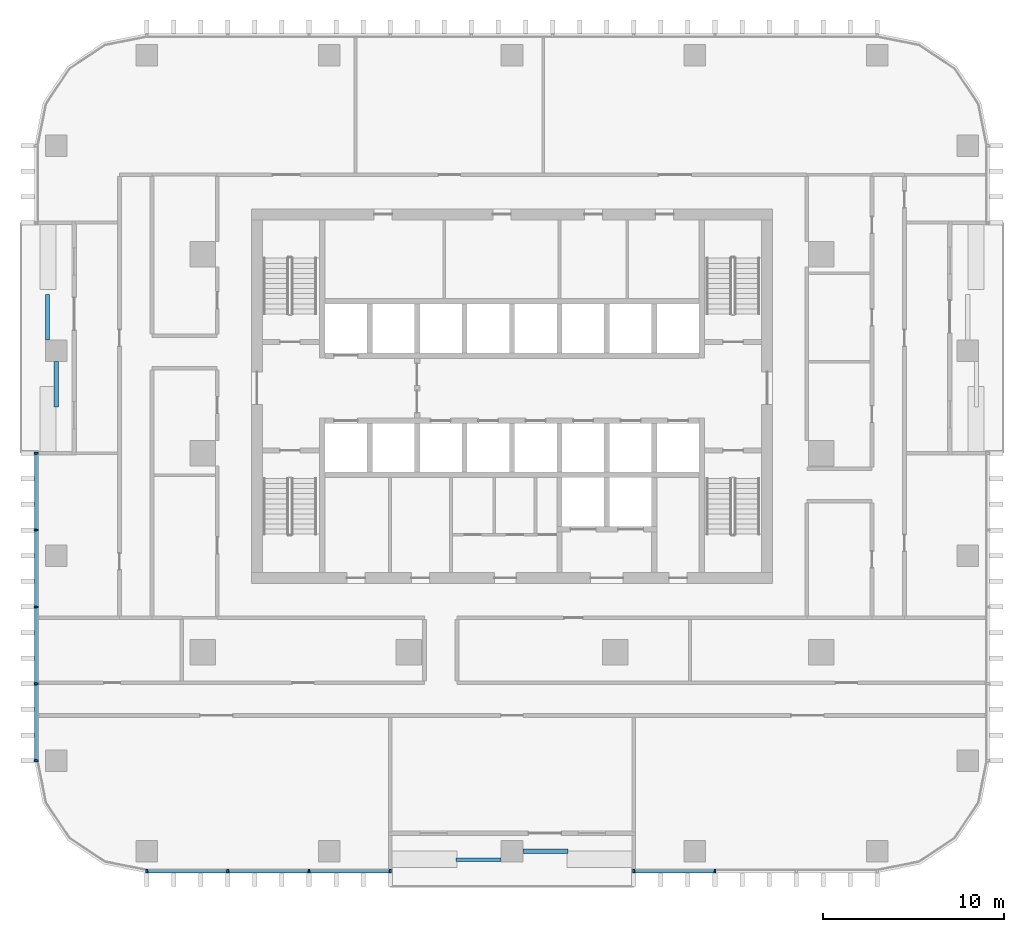
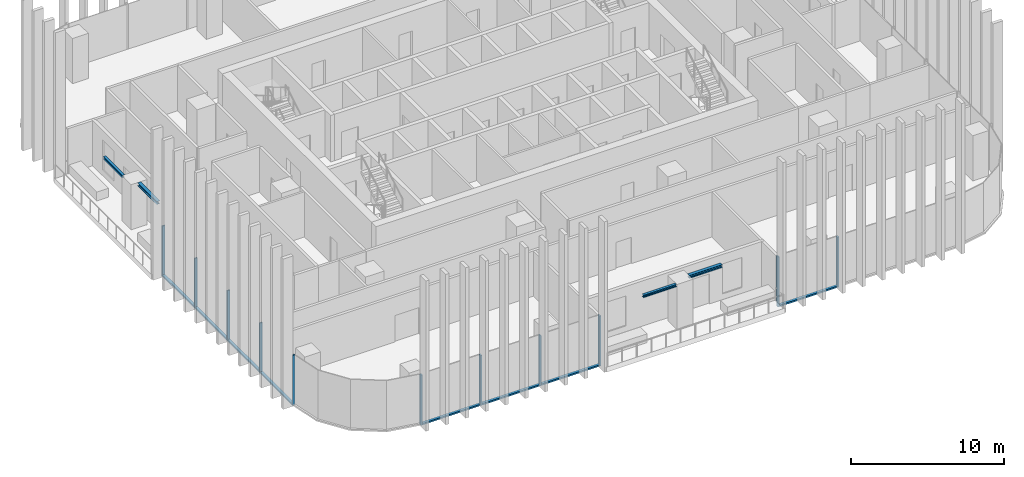
# One storey, part 2 of 15: 19 members, 4 beams, 3 elements without a shape of their own.
"""IFC4 building model written with IfcOpenShell, lengths in metres."""

from ifc_helpers import new_model, si_unit, direction, frame, origin, origin_2d, place, context, subcontext, project, spatial, rectangle, i_section, extrude, material, material_profile, profile_set, type_object, element, aggregate, save


model = new_model("IFC4")

# Units and contexts
model_context = context("Model", 3, precision=1e-05, world=origin(), true_north=direction((0.0, 1.0)))
body_context = subcontext(model_context, "Body", "Model", "MODEL_VIEW")
ifc_project = project(units=[si_unit("LENGTHUNIT", "METRE"), si_unit("AREAUNIT", "SQUARE_METRE"), si_unit("VOLUMEUNIT", "CUBIC_METRE"), si_unit("PLANEANGLEUNIT", "RADIAN"), si_unit("MASSUNIT", "GRAM", prefix="KILO")], contexts=[model_context])

# Site, building, storey
site_placement = place(None, origin())
site = spatial("IfcSite", under=ifc_project, at=site_placement, CompositionType="ELEMENT")
building_placement = place(site_placement, origin())
building = spatial("IfcBuilding", under=site, at=building_placement, Name="Mopane Tessera Tower", CompositionType="ELEMENT")
storey_placement = place(building_placement, frame((0.0, 0.0, 169.0)))
storey = spatial("IfcBuildingStorey", under=building, at=storey_placement, Name="L34", CompositionType="ELEMENT", Elevation=169.0)

# Curtain wall, members
ifc_material_1 = material(Name="Aluminium frame", Category="aluminium")
curtain_wall_type = type_object("IfcCurtainWallType", Name="Unitised curtain wall", PredefinedType="NOTDEFINED", material=ifc_material_1)
curtain_wall_1_placement = place(storey_placement, origin())
curtain_wall_1 = element("IfcCurtainWall", 1, at=curtain_wall_1_placement, inside=storey, type_object=curtain_wall_type, Name="e:cw:L34:S:0", PredefinedType="NOTDEFINED")
ifc_material_2 = material(Name="Aluminium frame", Category="aluminium")
ifc_material_profile_1 = material_profile(ifc_material_2, rectangle(XDim=0.10009765625, YDim=0.199951171875, at=origin_2d()))
ifc_profile_set_1 = profile_set([ifc_material_profile_1], Name="Aluminium frame")
member_type_1 = type_object("IfcMemberType", Name="Aluminium mullion 100 x 200", PredefinedType="MULLION", material=ifc_profile_set_1)
member_1_placement = place(storey_placement, frame((-20.199951171875, -23.10009765625, -0.39990234375), z_axis=(0.0, 0.0, 1.0), x_axis=(1.0, 0.0, 0.0)))
member_1 = element("IfcMember", 2, at=member_1_placement, type_object=member_type_1, Name="e:cw:L34:S:0:mu0", PredefinedType="MULLION", context=body_context, shape_type="SweptSolid", body=[
    extrude(rectangle(XDim=0.10009765625, YDim=0.199951171875, at=origin_2d()), origin(), (0.0, 0.0, 1.0), 4.0),
])
member_2_placement = place(storey_placement, frame((-15.711181640625, -23.10009765625, -0.39990234375), z_axis=(0.0, 0.0, 1.0), x_axis=(1.0, 0.0, 0.0)))
member_2 = element("IfcMember", 3, at=member_2_placement, type_object=member_type_1, Name="e:cw:L34:S:0:mu1", PredefinedType="MULLION", context=body_context, shape_type="SweptSolid", body=[
    extrude(rectangle(XDim=0.10009765625, YDim=0.199951171875, at=origin_2d()), origin(), (0.0, 0.0, 1.0), 4.0),
])
member_3_placement = place(storey_placement, frame((-11.22216796875, -23.10009765625, -0.39990234375), z_axis=(0.0, 0.0, 1.0), x_axis=(1.0, 0.0, 0.0)))
member_3 = element("IfcMember", 4, at=member_3_placement, type_object=member_type_1, Name="e:cw:L34:S:0:mu2", PredefinedType="MULLION", context=body_context, shape_type="SweptSolid", body=[
    extrude(rectangle(XDim=0.10009765625, YDim=0.199951171875, at=origin_2d()), origin(), (0.0, 0.0, 1.0), 4.0),
])
member_4_placement = place(storey_placement, frame((-6.7333984375, -23.10009765625, -0.39990234375), z_axis=(0.0, 0.0, 1.0), x_axis=(1.0, 0.0, 0.0)))
member_4 = element("IfcMember", 5, at=member_4_placement, type_object=member_type_1, Name="e:cw:L34:S:0:mu3", PredefinedType="MULLION", context=body_context, shape_type="SweptSolid", body=[
    extrude(rectangle(XDim=0.10009765625, YDim=0.199951171875, at=origin_2d()), origin(), (0.0, 0.0, 1.0), 4.0),
])

curtain_wall_2_placement = place(storey_placement, origin())
curtain_wall_2 = element("IfcCurtainWall", 6, at=curtain_wall_2_placement, inside=storey, type_object=curtain_wall_type, Name="e:cw:L34:S:6", PredefinedType="NOTDEFINED")
member_5_placement = place(storey_placement, frame((6.7333984375, -23.10009765625, -0.39990234375), z_axis=(0.0, 0.0, 1.0), x_axis=(1.0, 0.0, 0.0)))
member_5 = element("IfcMember", 7, at=member_5_placement, type_object=member_type_1, Name="e:cw:L34:S:6:mu6", PredefinedType="MULLION", context=body_context, shape_type="SweptSolid", body=[
    extrude(rectangle(XDim=0.10009765625, YDim=0.199951171875, at=origin_2d()), origin(), (0.0, 0.0, 1.0), 4.0),
])
member_6_placement = place(storey_placement, frame((11.22216796875, -23.10009765625, -0.39990234375), z_axis=(0.0, 0.0, 1.0), x_axis=(1.0, 0.0, 0.0)))
member_6 = element("IfcMember", 8, at=member_6_placement, type_object=member_type_1, Name="e:cw:L34:S:6:mu7", PredefinedType="MULLION", context=body_context, shape_type="SweptSolid", body=[
    extrude(rectangle(XDim=0.10009765625, YDim=0.199951171875, at=origin_2d()), origin(), (0.0, 0.0, 1.0), 4.0),
])

curtain_wall_3_placement = place(storey_placement, origin())
curtain_wall_3 = element("IfcCurtainWall", 9, at=curtain_wall_3_placement, inside=storey, type_object=curtain_wall_type, Name="e:cw:L34:W:4", PredefinedType="NOTDEFINED")
member_7_placement = place(storey_placement, frame((-26.300048828125, 0.0, -0.39990234375), z_axis=(0.0, 0.0, 1.0), x_axis=(0.0, -1.0, 0.0)))
member_7 = element("IfcMember", 10, at=member_7_placement, type_object=member_type_1, Name="e:cw:L34:W:4:mu4", PredefinedType="MULLION", context=body_context, shape_type="SweptSolid", body=[
    extrude(rectangle(XDim=0.10009765625, YDim=0.199951171875, at=origin_2d()), origin(), (0.0, 0.0, 1.0), 4.0),
])
member_8_placement = place(storey_placement, frame((-26.300048828125, -4.25, -0.39990234375), z_axis=(0.0, 0.0, 1.0), x_axis=(0.0, -1.0, 0.0)))
member_8 = element("IfcMember", 11, at=member_8_placement, type_object=member_type_1, Name="e:cw:L34:W:4:mu5", PredefinedType="MULLION", context=body_context, shape_type="SweptSolid", body=[
    extrude(rectangle(XDim=0.10009765625, YDim=0.199951171875, at=origin_2d()), origin(), (0.0, 0.0, 1.0), 4.0),
])
member_9_placement = place(storey_placement, frame((-26.300048828125, -8.5, -0.39990234375), z_axis=(0.0, 0.0, 1.0), x_axis=(0.0, -1.0, 0.0)))
member_9 = element("IfcMember", 12, at=member_9_placement, type_object=member_type_1, Name="e:cw:L34:W:4:mu6", PredefinedType="MULLION", context=body_context, shape_type="SweptSolid", body=[
    extrude(rectangle(XDim=0.10009765625, YDim=0.199951171875, at=origin_2d()), origin(), (0.0, 0.0, 1.0), 4.0),
])
member_10_placement = place(storey_placement, frame((-26.300048828125, -12.75, -0.39990234375), z_axis=(0.0, 0.0, 1.0), x_axis=(0.0, -1.0, 0.0)))
member_10 = element("IfcMember", 13, at=member_10_placement, type_object=member_type_1, Name="e:cw:L34:W:4:mu7", PredefinedType="MULLION", context=body_context, shape_type="SweptSolid", body=[
    extrude(rectangle(XDim=0.10009765625, YDim=0.199951171875, at=origin_2d()), origin(), (0.0, 0.0, 1.0), 4.0),
])
member_11_placement = place(storey_placement, frame((-26.300048828125, -17.0, -0.39990234375), z_axis=(0.0, 0.0, 1.0), x_axis=(0.0, -1.0, 0.0)))
member_11 = element("IfcMember", 14, at=member_11_placement, type_object=member_type_1, Name="e:cw:L34:W:4:mu8", PredefinedType="MULLION", context=body_context, shape_type="SweptSolid", body=[
    extrude(rectangle(XDim=0.10009765625, YDim=0.199951171875, at=origin_2d()), origin(), (0.0, 0.0, 1.0), 4.0),
])

# Member
ifc_material_3 = material(Name="Aluminium frame", Category="aluminium")
ifc_material_profile_2 = material_profile(ifc_material_3, rectangle(XDim=0.199951171875, YDim=0.1201171875, at=origin_2d()))
ifc_profile_set_2 = profile_set([ifc_material_profile_2], Name="Aluminium frame")
member_type_2 = type_object("IfcMemberType", Name="Aluminium transom 200 x 120", PredefinedType="USERDEFINED", material=ifc_profile_set_2)
member_12_placement = place(storey_placement, frame((-20.14990234375, -23.10009765625, -0.340087890625), z_axis=(1.0, 0.0, 0.0), x_axis=(0.0, 1.0, 0.0)))
member_12 = element("IfcMember", 15, at=member_12_placement, type_object=member_type_2, Name="e:cw:L34:S:0:tr0", ObjectType="TRANSOM", PredefinedType="USERDEFINED", context=body_context, shape_type="SweptSolid", body=[
    extrude(rectangle(XDim=0.199951171875, YDim=0.1201171875, at=origin_2d()), origin(), (0.0, 0.0, 1.0), 4.388671875),
])

member_13_placement = place(storey_placement, frame((-15.6611328125, -23.10009765625, -0.340087890625), z_axis=(1.0, 0.0, 0.0), x_axis=(0.0, 1.0, 0.0)))
member_13 = element("IfcMember", 16, at=member_13_placement, type_object=member_type_2, Name="e:cw:L34:S:0:tr1", ObjectType="TRANSOM", PredefinedType="USERDEFINED", context=body_context, shape_type="SweptSolid", body=[
    extrude(rectangle(XDim=0.199951171875, YDim=0.1201171875, at=origin_2d()), origin(), (0.0, 0.0, 1.0), 4.388916015625),
])

member_14_placement = place(storey_placement, frame((-11.172119140625, -23.10009765625, -0.340087890625), z_axis=(1.0, 0.0, 0.0), x_axis=(0.0, 1.0, 0.0)))
member_14 = element("IfcMember", 17, at=member_14_placement, type_object=member_type_2, Name="e:cw:L34:S:0:tr2", ObjectType="TRANSOM", PredefinedType="USERDEFINED", context=body_context, shape_type="SweptSolid", body=[
    extrude(rectangle(XDim=0.199951171875, YDim=0.1201171875, at=origin_2d()), origin(), (0.0, 0.0, 1.0), 4.388671875),
])

aggregate(curtain_wall_1, [member_1, member_2, member_3, member_4, member_12, member_13, member_14])

member_15_placement = place(storey_placement, frame((6.783447265625, -23.10009765625, -0.340087890625), z_axis=(1.0, 0.0, 0.0), x_axis=(0.0, 1.0, 0.0)))
member_15 = element("IfcMember", 18, at=member_15_placement, type_object=member_type_2, Name="e:cw:L34:S:6:tr6", ObjectType="TRANSOM", PredefinedType="USERDEFINED", context=body_context, shape_type="SweptSolid", body=[
    extrude(rectangle(XDim=0.199951171875, YDim=0.1201171875, at=origin_2d()), origin(), (0.0, 0.0, 1.0), 4.388671875),
])

aggregate(curtain_wall_2, [member_5, member_6, member_15])

member_16_placement = place(storey_placement, frame((-26.300048828125, -0.050048828125, -0.340087890625), z_axis=(0.0, -1.0, 0.0), x_axis=(1.0, 0.0, 0.0)))
member_16 = element("IfcMember", 19, at=member_16_placement, type_object=member_type_2, Name="e:cw:L34:W:4:tr4", ObjectType="TRANSOM", PredefinedType="USERDEFINED", context=body_context, shape_type="SweptSolid", body=[
    extrude(rectangle(XDim=0.199951171875, YDim=0.1201171875, at=origin_2d()), origin(), (0.0, 0.0, 1.0), 4.14990234375),
])

member_17_placement = place(storey_placement, frame((-26.300048828125, -4.300048828125, -0.340087890625), z_axis=(0.0, -1.0, 0.0), x_axis=(1.0, 0.0, 0.0)))
member_17 = element("IfcMember", 20, at=member_17_placement, type_object=member_type_2, Name="e:cw:L34:W:4:tr5", ObjectType="TRANSOM", PredefinedType="USERDEFINED", context=body_context, shape_type="SweptSolid", body=[
    extrude(rectangle(XDim=0.199951171875, YDim=0.1201171875, at=origin_2d()), origin(), (0.0, 0.0, 1.0), 4.14990234375),
])

member_18_placement = place(storey_placement, frame((-26.300048828125, -8.550048828125, -0.340087890625), z_axis=(0.0, -1.0, 0.0), x_axis=(1.0, 0.0, 0.0)))
member_18 = element("IfcMember", 21, at=member_18_placement, type_object=member_type_2, Name="e:cw:L34:W:4:tr6", ObjectType="TRANSOM", PredefinedType="USERDEFINED", context=body_context, shape_type="SweptSolid", body=[
    extrude(rectangle(XDim=0.199951171875, YDim=0.1201171875, at=origin_2d()), origin(), (0.0, 0.0, 1.0), 4.14990234375),
])

member_19_placement = place(storey_placement, frame((-26.300048828125, -12.800048828125, -0.340087890625), z_axis=(0.0, -1.0, 0.0), x_axis=(1.0, 0.0, 0.0)))
member_19 = element("IfcMember", 22, at=member_19_placement, type_object=member_type_2, Name="e:cw:L34:W:4:tr7", ObjectType="TRANSOM", PredefinedType="USERDEFINED", context=body_context, shape_type="SweptSolid", body=[
    extrude(rectangle(XDim=0.199951171875, YDim=0.1201171875, at=origin_2d()), origin(), (0.0, 0.0, 1.0), 4.14990234375),
])

aggregate(curtain_wall_3, [member_7, member_8, member_9, member_10, member_11, member_16, member_17, member_18, member_19])

# Beams
ifc_material_4 = material(Name="Structural steel S460", Category="steel")
ifc_material_profile_3 = material_profile(ifc_material_4, i_section(OverallWidth=0.239990234375, OverallDepth=0.239990234375, WebThickness=0.010009765625, FlangeThickness=0.01708984375, FilletRadius=0.02099609375, at=origin_2d()))
ifc_profile_set_3 = profile_set([ifc_material_profile_3], Name="Structural steel S460")
beam_type_1 = type_object("IfcBeamType", Name="Terrace spandrel beam HE 240 B", PredefinedType="SPANDREL", material=ifc_profile_set_3)
for number, where, z_axis, x_axis, name in (
    (23, (-25.199951171875, 5.063720703125, 3.47998046875), (0.0, -1.0, 0.0), (1.0, 0.0, 0.0), "Terrace spandrel beam N1 L35"),
    (24, (0.60302734375, -22.0, 3.47998046875), (1.0, 0.0, 0.0), (0.0, 1.0, 0.0), "Terrace spandrel beam N2 L35"),
):
    element("IfcBeam", number, at=place(storey_placement, frame(where, z_axis=z_axis, x_axis=x_axis)), inside=storey, type_object=beam_type_1, Name=name, PredefinedType="SPANDREL", context=body_context, shape_type="SweptSolid", body=[
        extrude(i_section(OverallWidth=0.239990234375, OverallDepth=0.239990234375, WebThickness=0.010009765625, FlangeThickness=0.01708984375, FilletRadius=0.02099609375, at=origin_2d()), origin(), (0.0, 0.0, 1.0), 2.5),
    ])
ifc_material_5 = material(Name="Structural steel S460", Category="steel")
ifc_material_profile_4 = material_profile(ifc_material_5, i_section(OverallWidth=0.199951171875, OverallDepth=0.199951171875, WebThickness=0.009033203125, FlangeThickness=0.014892578125, FilletRadius=0.01806640625, at=origin_2d()))
ifc_profile_set_4 = profile_set([ifc_material_profile_4], Name="Structural steel S460")
beam_type_2 = type_object("IfcBeamType", Name="Terrace trimmer beam HE 200 B", PredefinedType="BEAM", material=ifc_profile_set_4)
for number, where, z_axis, x_axis, name in (
    (25, (-25.679931640625, 6.269775390625, 3.5), (0.0, 1.0, 0.0), (-1.0, 0.0, 0.0), "Terrace trimmer beam N1 L35"),
    (26, (-0.60302734375, -22.47998046875, 3.5), (-1.0, 0.0, 0.0), (0.0, -1.0, 0.0), "Terrace trimmer beam N2 L35"),
):
    element("IfcBeam", number, at=place(storey_placement, frame(where, z_axis=z_axis, x_axis=x_axis)), inside=storey, type_object=beam_type_2, Name=name, PredefinedType="BEAM", context=body_context, shape_type="SweptSolid", body=[
        extrude(i_section(OverallWidth=0.199951171875, OverallDepth=0.199951171875, WebThickness=0.009033203125, FlangeThickness=0.014892578125, FilletRadius=0.01806640625, at=origin_2d()), origin(), (0.0, 0.0, 1.0), 2.5),
    ])

save(model, "model.ifc")
